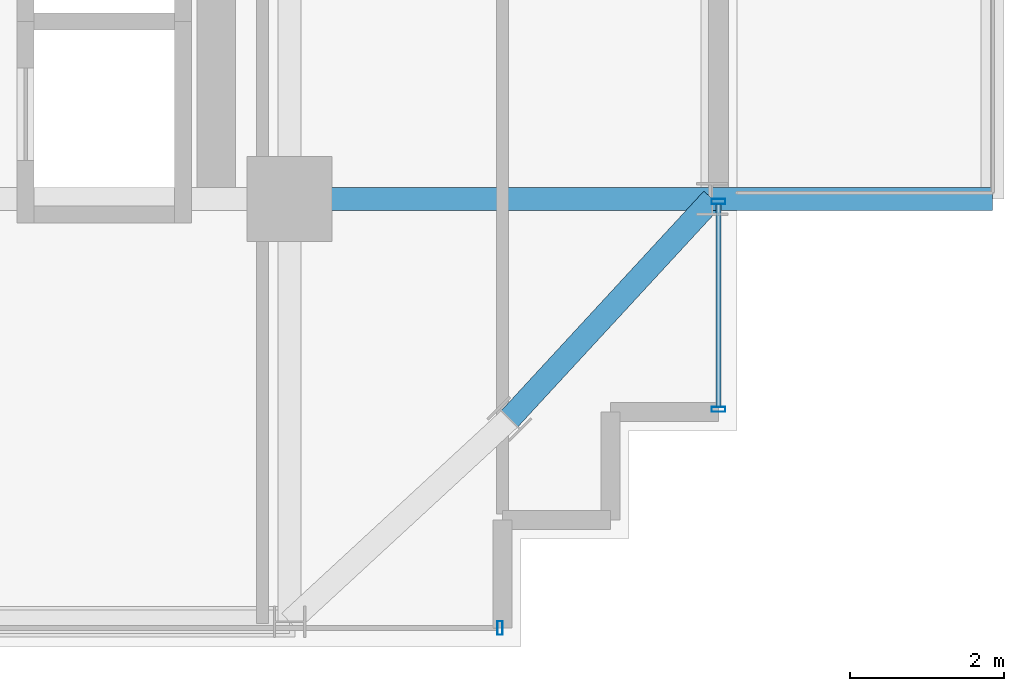
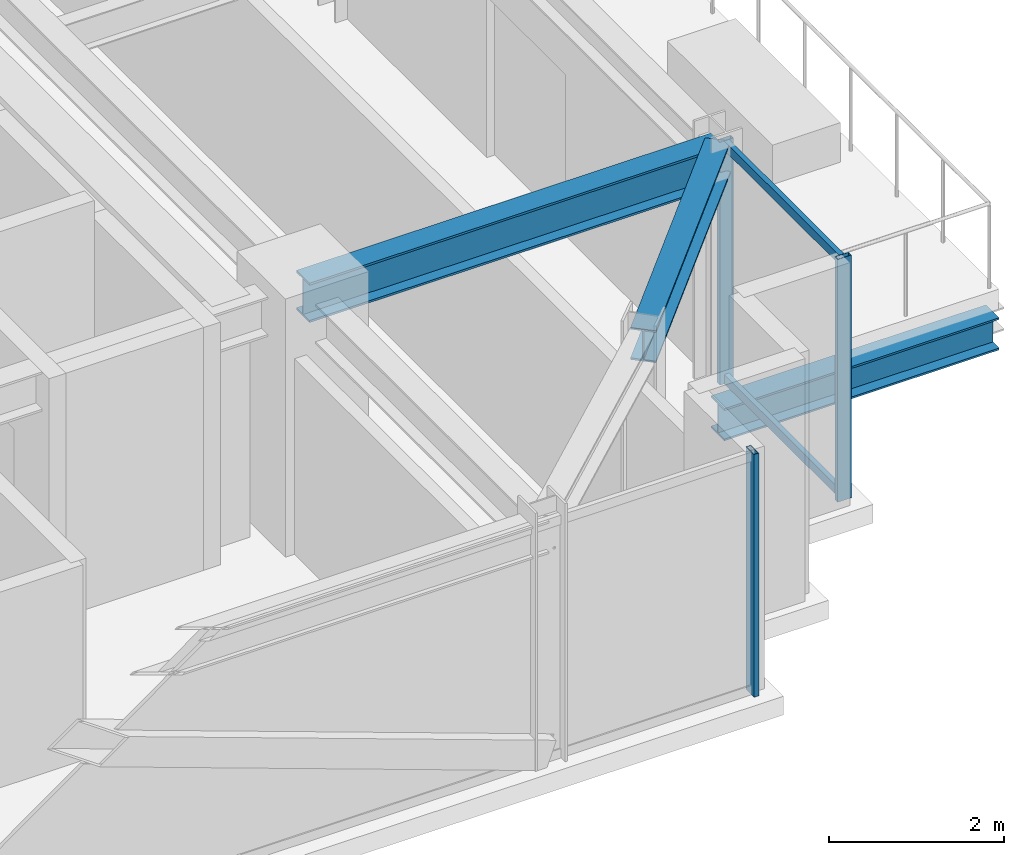
# One storey, part 10 of 29: 5 members, 3 beams, 2 elements without a shape of their own.
"""IFC4 building model written with IfcOpenShell, lengths in metres."""

import ifcopenshell
import ifcopenshell.guid

model = None  # the IFC model being written
_history = None  # IfcOwnerHistory: only IFC2X3 demands one
_inside = {}  # id of a spatial element -> (the spatial element, [elements in it])
_under = {}  # id of a project, library or spatial element -> (it, [spatial elements below it])
_declared = {}  # id of a project -> (the project, [libraries it declares])
_typed = {}  # id of a type object -> (the type object, [elements of that type])
_made_of = {}  # id of a material, layer set ... -> (it, [elements and type objects made of it])


def new_model(schema):
    """Start an empty IFC model of exactly this schema.

    Asked for "IFC4X3", IfcOpenShell would pick the latest addendum, in which some entities
    have other attributes; the version numbers below select the first issue.
    IFC2X3 requires an IfcOwnerHistory on every rooted entity: one is made here for all.
    """
    global model, _history
    if schema == "IFC4X3":
        model = ifcopenshell.file(schema_version=(4, 3, 0, 0))
    else:
        model = ifcopenshell.file(schema=schema)
    _inside.clear()
    _under.clear()
    _declared.clear()
    _typed.clear()
    _made_of.clear()
    _history = None
    if model.schema == "IFC2X3":
        org = make("IfcOrganization", Name="unknown")
        user = make(
            "IfcPersonAndOrganization",
            ThePerson=make("IfcPerson", FamilyName="unknown"),
            TheOrganization=org,
        )
        app = make(
            "IfcApplication",
            ApplicationDeveloper=org,
            Version="unknown",
            ApplicationFullName="unknown",
            ApplicationIdentifier="unknown",
        )
        _history = make(
            "IfcOwnerHistory",
            OwningUser=user,
            OwningApplication=app,
            ChangeAction="ADDED",
            CreationDate=0,
        )
    return model


def make(cls, **values):
    """One entity of the class cls with the attributes given. An attribute that is None is left unset."""
    return model.create_entity(
        cls, **{name: value for name, value in values.items() if value is not None}
    )


def rooted(cls, **values):
    """An entity with a GlobalId (a new one), such as an element, a storey or a relation."""
    return make(cls, GlobalId=ifcopenshell.guid.new(), OwnerHistory=_history, **values)


def si_unit(unit_type, name, prefix=None):
    """IfcSIUnit, for example si_unit("LENGTHUNIT", "METRE", prefix="MILLI")."""
    return make("IfcSIUnit", UnitType=unit_type, Prefix=prefix, Name=name)


def assignment(units):
    """IfcUnitAssignment: the units of a project."""
    return None if units is None else make("IfcUnitAssignment", Units=units)


def point(xyz):
    """IfcCartesianPoint."""
    return None if xyz is None else make("IfcCartesianPoint", Coordinates=xyz)


def direction(xyz):
    """IfcDirection."""
    return None if xyz is None else make("IfcDirection", DirectionRatios=xyz)


def frame(location, z_axis=None, x_axis=None):
    """IfcAxis2Placement3D, a coordinate frame: its origin and axes. An axis left out is left unset."""
    return make(
        "IfcAxis2Placement3D",
        Location=point(location),
        Axis=direction(z_axis),
        RefDirection=direction(x_axis),
    )


def frame_2d(location, x_axis=None):
    """IfcAxis2Placement2D, a coordinate frame in the plane: its origin and x axis."""
    return make(
        "IfcAxis2Placement2D", Location=point(location), RefDirection=direction(x_axis)
    )


def origin():
    """The frame at (0, 0, 0) with its axes left unset."""
    return frame((0.0, 0.0, 0.0))


def origin_2d():
    """The frame at (0, 0) in the plane with its x axis left unset."""
    return frame_2d((0.0, 0.0))


def place(relative_to, where):
    """IfcLocalPlacement: puts the frame where relative to a parent placement (None: the world)."""
    return make(
        "IfcLocalPlacement", PlacementRelTo=relative_to, RelativePlacement=where
    )


def context(
    kind, dimensions, precision=None, world=None, true_north=None, identifier=None
):
    """IfcGeometricRepresentationContext, for example the 3D "Model" context."""
    return make(
        "IfcGeometricRepresentationContext",
        ContextIdentifier=identifier,
        ContextType=kind,
        CoordinateSpaceDimension=dimensions,
        Precision=precision,
        WorldCoordinateSystem=world,
        TrueNorth=true_north,
    )


def subcontext(parent, identifier, kind, view, scale=None):
    """IfcGeometricRepresentationSubContext, for example "Body" below "Model"."""
    return make(
        "IfcGeometricRepresentationSubContext",
        ContextIdentifier=identifier,
        ContextType=kind,
        ParentContext=parent,
        TargetScale=scale,
        TargetView=view,
    )


def project(units=None, contexts=None):
    """IfcProject with its units and contexts."""
    return rooted(
        "IfcProject",
        Name="project",
        RepresentationContexts=contexts,
        UnitsInContext=assignment(units),
    )


def spatial(cls, under=None, at=None, **own):
    """A site, building, storey or space (cls), placed at a placement, below another one or the project."""
    s = rooted(cls, ObjectPlacement=at, **own)
    if under is not None:
        _under.setdefault(under.id(), (under, []))[1].append(s)
    return s


def profile(cls, at=None, kind="AREA", **sizes):
    """A parametric profile (cls). Its sizes go by their IFC names, for example OverallWidth=200.0."""
    return make(cls, ProfileType=kind, Position=at, **sizes)


def hollow_rectangle(**sizes):
    """IfcRectangleHollowProfileDef."""
    return profile("IfcRectangleHollowProfileDef", **sizes)


def i_section(**sizes):
    """IfcIShapeProfileDef."""
    return profile("IfcIShapeProfileDef", **sizes)


def extrude(swept, where, along, depth):
    """IfcExtrudedAreaSolid: the profile swept, set in the frame where, extruded along a direction by depth."""
    return make(
        "IfcExtrudedAreaSolid",
        SweptArea=swept,
        Position=where,
        ExtrudedDirection=direction(along),
        Depth=depth,
    )


def shape(context_of_items, identifier, shape_type, items):
    """IfcShapeRepresentation: the items that make up one representation, for example the "Body"."""
    return make(
        "IfcShapeRepresentation",
        ContextOfItems=context_of_items,
        RepresentationIdentifier=identifier,
        RepresentationType=shape_type,
        Items=items,
    )


def source(mapping_origin, context_of_items, identifier, shape_type, items):
    """IfcRepresentationMap: a shape defined once, which mapped items show again and again."""
    return make(
        "IfcRepresentationMap",
        MappingOrigin=mapping_origin,
        MappedRepresentation=shape(context_of_items, identifier, shape_type, items),
    )


def transform(
    local_origin,
    x_axis=None,
    y_axis=None,
    z_axis=None,
    scale=None,
    scale2=None,
    scale3=None,
    uniform=True,
):
    """IfcCartesianTransformationOperator3D, or its non-uniform kind. x_axis, y_axis, z_axis: its Axis1, 2, 3."""
    if uniform:
        return make(
            "IfcCartesianTransformationOperator3D",
            Axis1=direction(x_axis),
            Axis2=direction(y_axis),
            LocalOrigin=point(local_origin),
            Scale=scale,
            Axis3=direction(z_axis),
        )
    return make(
        "IfcCartesianTransformationOperator3DnonUniform",
        Axis1=direction(x_axis),
        Axis2=direction(y_axis),
        LocalOrigin=point(local_origin),
        Scale=scale,
        Axis3=direction(z_axis),
        Scale2=scale2,
        Scale3=scale3,
    )


def mapped(mapping_source, mapping_target):
    """IfcMappedItem: shows the shape of a source again, moved by a transform."""
    return make(
        "IfcMappedItem", MappingSource=mapping_source, MappingTarget=mapping_target
    )


def material(Name=None, Category=None):
    """IfcMaterial."""
    return make("IfcMaterial", Name=Name, Category=Category)


def material_profile(
    of_material, cross_section, Name=None, Category=None, Priority=None
):
    """IfcMaterialProfile: a cross section and its material."""
    return make(
        "IfcMaterialProfile",
        Name=Name,
        Material=of_material,
        Profile=cross_section,
        Priority=Priority,
        Category=Category,
    )


def profile_set(profiles, Name=None, composite=None):
    """IfcMaterialProfileSet."""
    return make(
        "IfcMaterialProfileSet",
        Name=Name,
        MaterialProfiles=profiles,
        CompositeProfile=composite,
    )


def made_of(thing, what):
    """Note that an element or type object is made of a material, layer set ...; save() writes the relation."""
    if what is not None:
        _made_of.setdefault(what.id(), (what, []))[1].append(thing)
    return thing


def type_object(cls, material=None, **own):
    """A type object (cls), such as IfcWallType, which elements share."""
    return made_of(rooted(cls, **own), material)


def element(
    cls,
    number,
    at=None,
    inside=None,
    cuts=None,
    type_object=None,
    material=None,
    context=None,
    identifier="Body",
    shape_type=None,
    held_by="IfcProductDefinitionShape",
    body=None,
    shapes=None,
    **own,
):
    """One element of the class cls, such as IfcWall. Its Tag is "e" and its number.

    at: its placement. inside: the storey or other place that contains it. cuts: it is an
    opening in that element (IfcRelVoidsElement). A single representation is given by context,
    identifier, shape_type and body (its items); several are given by shapes. held_by: the class
    of the entity that holds the representations. save() writes the other relations.
    """
    e = rooted(cls, Tag="e%d" % number, ObjectPlacement=at, **own)
    if body is not None:
        shapes = [shape(context, identifier, shape_type, body)]
    if shapes is not None:
        e.Representation = make(held_by, Representations=shapes)
    if inside is not None:
        _inside.setdefault(inside.id(), (inside, []))[1].append(e)
    if cuts is not None:
        rooted(
            "IfcRelVoidsElement", RelatingBuildingElement=cuts, RelatedOpeningElement=e
        )
    if type_object is not None:
        _typed.setdefault(type_object.id(), (type_object, []))[1].append(e)
    return made_of(e, material)


def aggregate(whole, parts):
    """IfcRelAggregates: a whole, such as a stair, and the parts it consists of."""
    return rooted("IfcRelAggregates", RelatingObject=whole, RelatedObjects=parts)


def save(model, path):
    """Write the relations noted so far, then the file.

    IfcRelAggregates (storeys below a building ...), IfcRelContainedInSpatialStructure (elements
    in a storey), IfcRelDefinesByType, IfcRelAssociatesMaterial and IfcRelDeclares: one each for
    every whole, place, type object, material and project.
    """
    for whole, parts in _under.values():
        aggregate(whole, parts)
    for where, things in _inside.values():
        rooted(
            "IfcRelContainedInSpatialStructure",
            RelatedElements=things,
            RelatingStructure=where,
        )
    for kind, things in _typed.values():
        rooted("IfcRelDefinesByType", RelatedObjects=things, RelatingType=kind)
    for what, things in _made_of.values():
        rooted("IfcRelAssociatesMaterial", RelatedObjects=things, RelatingMaterial=what)
    for by, libraries in _declared.values():
        rooted("IfcRelDeclares", RelatingContext=by, RelatedDefinitions=libraries)
    model.write(path)


model = new_model("IFC4")

# Units and contexts
model_context = context("Model", 3, precision=1e-05, world=origin(), true_north=direction((0.0, 1.0)))
body_context = subcontext(model_context, "Body", "Model", "MODEL_VIEW")
ifc_project = project(units=[si_unit("LENGTHUNIT", "METRE"), si_unit("AREAUNIT", "SQUARE_METRE"), si_unit("VOLUMEUNIT", "CUBIC_METRE"), si_unit("PLANEANGLEUNIT", "RADIAN"), si_unit("MASSUNIT", "GRAM", prefix="KILO")], contexts=[model_context])

# Site, building, storey
site_placement = place(None, origin())
site = spatial("IfcSite", under=ifc_project, at=site_placement, CompositionType="ELEMENT")
building_placement = place(site_placement, origin())
building = spatial("IfcBuilding", under=site, at=building_placement, Name="Nahalor Promenade Grand Hotel", CompositionType="ELEMENT")
storey_placement = place(building_placement, frame((0.0, 0.0, 189.14990234375)))
storey = spatial("IfcBuildingStorey", under=building, at=storey_placement, Name="L48", CompositionType="ELEMENT", Elevation=189.14990234375)

# Beams
ifc_material_1 = material(Name="Steel S355JR", Category="steel")
ifc_material_profile_1 = material_profile(ifc_material_1, i_section(OverallWidth=0.3, OverallDepth=0.45, WebThickness=0.014, FlangeThickness=0.026, at=origin_2d()), Name="HEB 450")
ifc_profile_set_1 = profile_set([ifc_material_profile_1], Name="Steel S355JR")
beam_type_1 = type_object("IfcBeamType", Name="Beam-Outrigger-HEB450", PredefinedType="BEAM", material=ifc_profile_set_1)
shared_shape_1 = source(origin(), body_context, "Body", "SweptSolid", [
    extrude(i_section(OverallWidth=0.3, OverallDepth=0.45, WebThickness=0.014, FlangeThickness=0.026, at=origin_2d()), origin(), (0.0, 0.0, 1.0), 3.630126953125),
])
beam_1_placement = place(storey_placement, frame((22.47998046875, -17.0, -0.5048828125), z_axis=(1.0, 0.0, 0.0), x_axis=(0.0, 1.0, 0.0)))
element("IfcBeam", 1, at=beam_1_placement, inside=storey, type_object=beam_type_1, Name="BM-L48-BC-02-1", PredefinedType="BEAM", context=body_context, shape_type="MappedRepresentation", body=[
    mapped(shared_shape_1, transform((0.0, 0.0, 0.0), scale=1.0)),
])
ifc_material_profile_2 = material_profile(ifc_material_1, i_section(OverallWidth=0.3, OverallDepth=0.55, WebThickness=0.015, FlangeThickness=0.029, at=origin_2d()), Name="HEB 550")
ifc_profile_set_2 = profile_set([ifc_material_profile_2], Name="Steel S355JR")
beam_type_2 = type_object("IfcBeamType", Name="Beam-Girder-HEB550", PredefinedType="BEAM", material=ifc_profile_set_2)
shared_shape_2 = source(origin(), body_context, "Body", "SweptSolid", [
    extrude(i_section(OverallWidth=0.3, OverallDepth=0.55, WebThickness=0.015, FlangeThickness=0.029, at=origin_2d()), origin(), (0.0, 0.0, 1.0), 5.47998046875),
])
beam_2_placement = place(storey_placement, frame((17.0, -17.0, 3.114990234375), z_axis=(1.0, 0.0, 0.0), x_axis=(0.0, 1.0, 0.0)))
element("IfcBeam", 2, at=beam_2_placement, inside=storey, type_object=beam_type_2, Name="BM-L48-GX-0-6", PredefinedType="BEAM", context=body_context, shape_type="MappedRepresentation", body=[
    mapped(shared_shape_2, transform((0.0, 0.0, 0.0), scale=1.0)),
])
ifc_material_profile_3 = material_profile(ifc_material_1, i_section(OverallWidth=0.3, OverallDepth=0.45, WebThickness=0.014, FlangeThickness=0.026, at=origin_2d()), Name="HEB 450")
ifc_profile_set_3 = profile_set([ifc_material_profile_3], Name="Steel S355JR")
beam_type_3 = type_object("IfcBeamType", Name="Beam-Spandrel-HEB450", PredefinedType="SPANDREL", material=ifc_profile_set_3)
shared_shape_3 = source(origin(), body_context, "Body", "SweptSolid", [
    extrude(i_section(OverallWidth=0.3, OverallDepth=0.45, WebThickness=0.014, FlangeThickness=0.026, at=origin_2d()), origin(), (0.0, 0.0, 1.0), 3.878173828125),
])
beam_3_placement = place(storey_placement, frame((19.85009765625, -19.85009765625, 3.1650390625), z_axis=(0.678144125843, 0.73492893846, 0.0), x_axis=(-0.73492893846, 0.678144125843, 0.0)))
element("IfcBeam", 3, at=beam_3_placement, inside=storey, type_object=beam_type_3, Name="BM-L48-SPC-SE-2", PredefinedType="SPANDREL", context=body_context, shape_type="MappedRepresentation", body=[
    mapped(shared_shape_3, transform((0.0, 0.0, 0.0), scale=1.0)),
])

# Curtain wall, members
ifc_material_2 = material(Name="Anodised Bronze Aluminium EN AW-6063 T6", Category="aluminium")
curtain_wall_type = type_object("IfcCurtainWallType", Name="CW2 Typical Hotel Flush Bronze Unitised Curtain Wall", PredefinedType="USERDEFINED", material=ifc_material_2)
curtain_wall_1_placement = place(storey_placement, origin())
curtain_wall_1 = element("IfcCurtainWall", 4, at=curtain_wall_1_placement, inside=storey, type_object=curtain_wall_type, Name="L48 Curtain Wall CW-L48-E-1", ObjectType="UNITISED_CURTAIN_WALL", PredefinedType="USERDEFINED")
ifc_material_profile_4 = material_profile(ifc_material_2, hollow_rectangle(XDim=0.065, YDim=0.13, WallThickness=0.004, at=origin_2d()), Name="CWT 65x130x4")
ifc_profile_set_4 = profile_set([ifc_material_profile_4], Name="Anodised Bronze Aluminium EN AW-6063 T6")
member_type_1 = type_object("IfcMemberType", Name="CWT2 Typical Bronze Transom 65x130", PredefinedType="USERDEFINED", material=ifc_profile_set_4)
shared_shape_4 = source(origin(), body_context, "Body", "SweptSolid", [
    extrude(hollow_rectangle(XDim=0.065, YDim=0.13, WallThickness=0.004, at=origin_2d()), origin(), (0.0, 0.0, 1.0), 2.630126953125),
])
member_1_placement = place(storey_placement, frame((22.56005859375, -19.695068359375, 0.065185546875), z_axis=(0.0, 1.0, 0.0), x_axis=(-1.0, 0.0, 0.0)))
member_1 = element("IfcMember", 5, at=member_1_placement, type_object=member_type_1, Name="CW-L48-E-1 Transom 0-0", ObjectType="TRANSOM", PredefinedType="USERDEFINED", context=body_context, shape_type="MappedRepresentation", body=[
    mapped(shared_shape_4, transform((0.0, 0.0, 0.0), scale=1.0)),
])
member_2_placement = place(storey_placement, frame((22.56005859375, -19.695068359375, 3.3251953125), z_axis=(0.0, 1.0, 0.0), x_axis=(-1.0, 0.0, 0.0)))
member_2 = element("IfcMember", 6, at=member_2_placement, type_object=member_type_1, Name="CW-L48-E-1 Transom 0-1", ObjectType="TRANSOM", PredefinedType="USERDEFINED", context=body_context, shape_type="MappedRepresentation", body=[
    mapped(shared_shape_4, transform((0.0, 0.0, 0.0), scale=1.0)),
])

# Curtain wall, member
curtain_wall_2_placement = place(storey_placement, origin())
curtain_wall_2 = element("IfcCurtainWall", 7, at=curtain_wall_2_placement, inside=storey, type_object=curtain_wall_type, Name="L48 Curtain Wall CW-L48-S-1", ObjectType="UNITISED_CURTAIN_WALL", PredefinedType="USERDEFINED")
ifc_material_profile_5 = material_profile(ifc_material_2, hollow_rectangle(XDim=0.065, YDim=0.18, WallThickness=0.004, at=origin_2d()), Name="CWM 65x180x4")
ifc_profile_set_5 = profile_set([ifc_material_profile_5], Name="Anodised Bronze Aluminium EN AW-6063 T6")
member_type_2 = type_object("IfcMemberType", Name="CWM2 Typical Bronze Mullion 65x180", PredefinedType="MULLION", material=ifc_profile_set_5)
shared_shape_5 = source(origin(), body_context, "Body", "SweptSolid", [
    extrude(hollow_rectangle(XDim=0.065, YDim=0.18, WallThickness=0.004, at=origin_2d()), origin(), (0.0, 0.0, 1.0), 3.39013671875),
])
member_3_placement = place(storey_placement, frame((19.7275390625, -22.56005859375, 0.0), z_axis=(0.0, 0.0, 1.0), x_axis=(1.0, 0.0, 0.0)))
member_3 = element("IfcMember", 8, at=member_3_placement, type_object=member_type_2, Name="CW-L48-S-1 Mullion 3", PredefinedType="MULLION", context=body_context, shape_type="MappedRepresentation", body=[
    mapped(shared_shape_5, transform((0.0, 0.0, 0.0), scale=1.0)),
])
aggregate(curtain_wall_2, [member_3])

# Member
member_4_placement = place(storey_placement, frame((22.56005859375, -19.7275390625, 0.0), z_axis=(0.0, 0.0, 1.0), x_axis=(0.0, 1.0, 0.0)))
member_4 = element("IfcMember", 9, at=member_4_placement, type_object=member_type_2, Name="CW-L48-E-1 Mullion 0", PredefinedType="MULLION", context=body_context, shape_type="MappedRepresentation", body=[
    mapped(shared_shape_5, transform((0.0, 0.0, 0.0), scale=1.0)),
])

member_5_placement = place(storey_placement, frame((22.56005859375, -17.032470703125, 0.0), z_axis=(0.0, 0.0, 1.0), x_axis=(0.0, 1.0, 0.0)))
member_5 = element("IfcMember", 10, at=member_5_placement, type_object=member_type_2, Name="CW-L48-E-1 Mullion 1", PredefinedType="MULLION", context=body_context, shape_type="MappedRepresentation", body=[
    mapped(shared_shape_5, transform((0.0, 0.0, 0.0), scale=1.0)),
])

aggregate(curtain_wall_1, [member_4, member_5, member_1, member_2])

save(model, "model.ifc")
